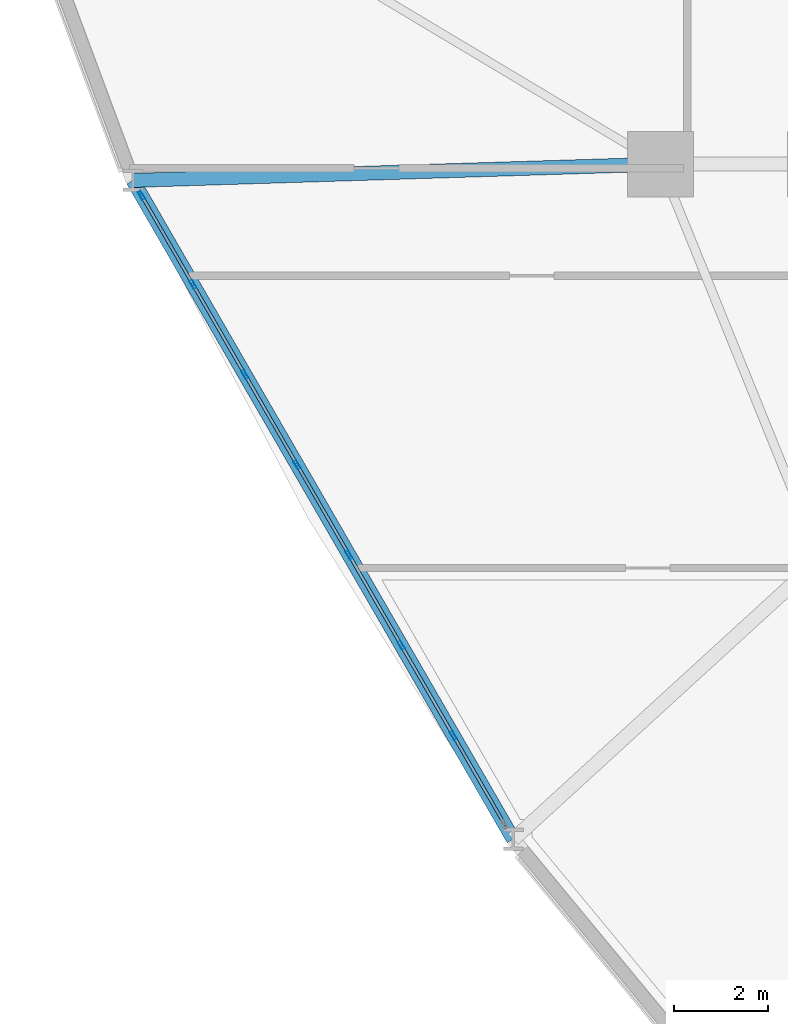
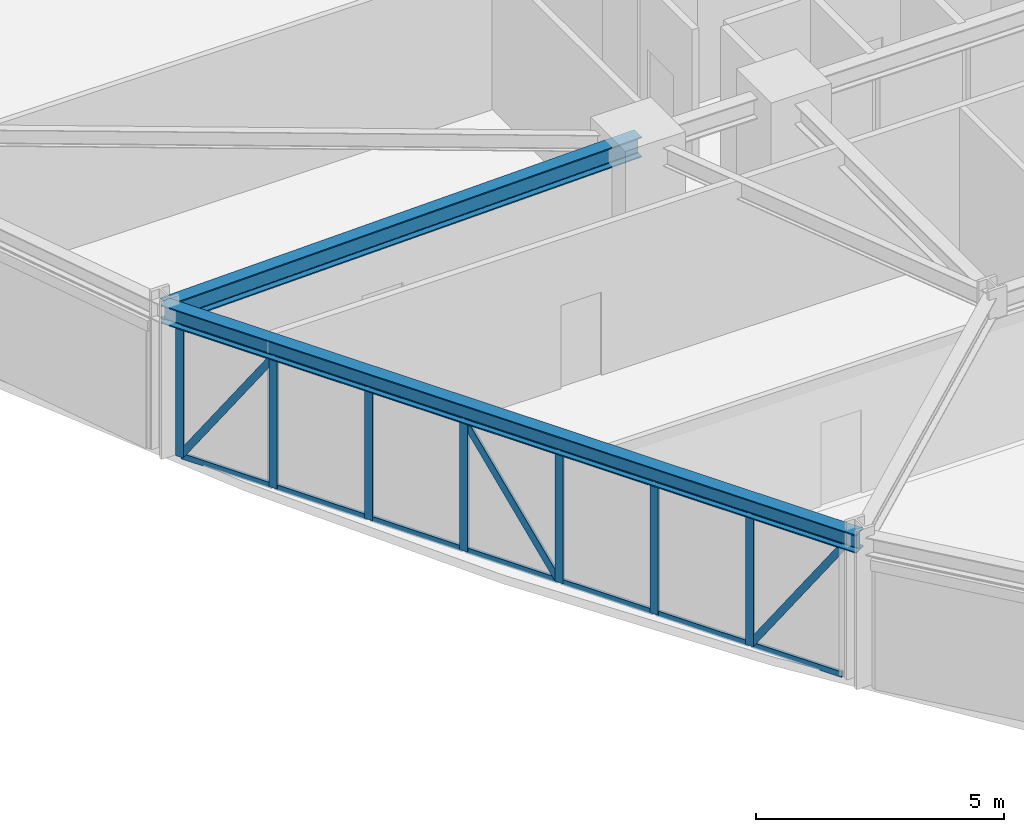
# One storey, part 4 of 23: 24 members, 2 beams, 1 element without a shape of its own.
"""IFC4 building model written with IfcOpenShell, lengths in metres."""

from ifc_helpers import new_model, si_unit, derived_unit, direction, frame, origin, origin_2d, place, context, subcontext, project, spatial, hollow_rectangle, i_section, extrude, source, transform, mapped, material, layer, layer_set, material_profile, profile_set, type_object, element, aggregate, save


model = new_model("IFC4")

# Units and contexts
model_context = context("Model", 3, precision=1e-05, world=origin(), true_north=direction((0.0, 1.0)))
body_context = subcontext(model_context, "Body", "Model", "MODEL_VIEW")
ifc_project = project(units=[si_unit("LENGTHUNIT", "METRE"), si_unit("AREAUNIT", "SQUARE_METRE"), si_unit("VOLUMEUNIT", "CUBIC_METRE"), si_unit("PLANEANGLEUNIT", "RADIAN"), si_unit("MASSUNIT", "GRAM", prefix="KILO"), derived_unit("THERMALTRANSMITTANCEUNIT", [(si_unit("POWERUNIT", "WATT"), 1), (si_unit("LENGTHUNIT", "METRE"), -2), (si_unit("THERMODYNAMICTEMPERATUREUNIT", "KELVIN"), -1)])], contexts=[model_context])

# Site, building, storey
site_placement = place(None, origin())
site = spatial("IfcSite", under=ifc_project, at=site_placement, CompositionType="ELEMENT")
building_placement = place(site_placement, origin())
building = spatial("IfcBuilding", under=site, at=building_placement, Name="Korsvarv Bourse and Concert Hall", CompositionType="ELEMENT")
storey_placement = place(building_placement, frame((0.0, 0.0, 24.0)))
storey = spatial("IfcBuildingStorey", under=building, at=storey_placement, Name="L05", CompositionType="ELEMENT", Elevation=24.0)

# Beams
ifc_material_1 = material(Name="Steel S355", Category="steel")
ifc_material_profile_1 = material_profile(ifc_material_1, i_section(OverallWidth=0.300048828125, OverallDepth=0.449951171875, WebThickness=0.013916015625, FlangeThickness=0.02587890625, FilletRadius=0.02099609375, at=origin_2d()), Name="HEB 450")
ifc_profile_set_1 = profile_set([ifc_material_profile_1], Name="Steel S355")
beam_type_1 = type_object("IfcBeamType", Name="BM-HEB450", PredefinedType="SPANDREL", material=ifc_profile_set_1)
shared_shape_1 = source(origin(), body_context, "Body", "SweptSolid", [
    extrude(i_section(OverallWidth=0.300048828125, OverallDepth=0.449951171875, WebThickness=0.013916015625, FlangeThickness=0.02587890625, FilletRadius=0.02099609375, at=origin_2d()), origin(), (0.0, 0.0, 1.0), 16.195068359375),
])
beam_1_placement = place(storey_placement, frame((12.970458984375, 32.05419921875, 3.455078125), z_axis=(0.499993009725, -0.866029439584, 0.0), x_axis=(0.866029439584, 0.499993009725, 0.0)))
element("IfcBeam", 1, at=beam_1_placement, inside=storey, type_object=beam_type_1, Name="L05 beam B-08", PredefinedType="SPANDREL", context=body_context, shape_type="MappedRepresentation", body=[
    mapped(shared_shape_1, transform((0.0, 0.0, 0.0), scale=1.0)),
])
ifc_material_profile_2 = material_profile(ifc_material_1, i_section(OverallWidth=0.300048828125, OverallDepth=0.5, WebThickness=0.014404296875, FlangeThickness=0.028076171875, FilletRadius=0.02392578125, at=origin_2d()), Name="HEB 500")
ifc_profile_set_2 = profile_set([ifc_material_profile_2], Name="Steel S355")
beam_type_2 = type_object("IfcBeamType", Name="BM-HEB500", PredefinedType="BEAM", material=ifc_profile_set_2)
shared_shape_2 = source(origin(), body_context, "Body", "SweptSolid", [
    extrude(i_section(OverallWidth=0.300048828125, OverallDepth=0.5, WebThickness=0.014404296875, FlangeThickness=0.028076171875, FilletRadius=0.02392578125, at=origin_2d()), origin(), (0.0, 0.0, 1.0), 11.23486328125),
])
beam_2_placement = place(storey_placement, frame((12.970458984375, 32.05419921875, 3.429931640625), z_axis=(0.999526469652, 0.03077070791, 0.0), x_axis=(-0.03077070791, 0.999526469652, 0.0)))
element("IfcBeam", 2, at=beam_2_placement, inside=storey, type_object=beam_type_2, Name="L05 beam B-07", PredefinedType="BEAM", context=body_context, shape_type="MappedRepresentation", body=[
    mapped(shared_shape_2, transform((0.0, 0.0, 0.0), scale=1.0)),
])

# Curtain wall, members
ifc_material_2 = material(Name="Anodised aluminium and triple low-E glazing", Category="glass")
ifc_layer = layer(ifc_material_2, 0.219970703125)
ifc_layer_set = layer_set([ifc_layer], Name="Anodised aluminium and triple low-E glazing")
curtain_wall_type = type_object("IfcCurtainWallType", Name="CW-SYS-1", PredefinedType="NOTDEFINED", material=ifc_layer_set)
curtain_wall_placement = place(storey_placement, origin())
curtain_wall = element("IfcCurtainWall", 3, at=curtain_wall_placement, inside=storey, type_object=curtain_wall_type, Name="L05 CW1 curtain wall CW-L05-F07", PredefinedType="NOTDEFINED")
ifc_material_3 = material(Name="Extruded aluminium EN AW-6063 T66", Category="aluminium")
ifc_material_profile_3 = material_profile(ifc_material_3, hollow_rectangle(XDim=0.070068359375, YDim=0.18994140625, WallThickness=0.0048828125, at=origin_2d()), Name="ALU-M 70x190")
ifc_profile_set_3 = profile_set([ifc_material_profile_3], Name="Extruded aluminium EN AW-6063 T66")
member_type_1 = type_object("IfcMemberType", Name="CWM-190", PredefinedType="MULLION", material=ifc_profile_set_3)
shared_shape_3 = source(origin(), body_context, "Body", "SweptSolid", [
    extrude(hollow_rectangle(XDim=0.070068359375, YDim=0.18994140625, WallThickness=0.0048828125, at=origin_2d()), origin(), (0.0, 0.0, 1.0), 3.22998046875),
])
member_1_placement = place(storey_placement, frame((13.15380859375, 31.73681640625, 0.0), z_axis=(0.0, 0.0, 1.0), x_axis=(0.866028517121, 0.499994607504, 0.0)))
member_1 = element("IfcMember", 4, at=member_1_placement, type_object=member_type_1, Name="CW1 mullion 1", PredefinedType="MULLION", context=body_context, shape_type="MappedRepresentation", body=[
    mapped(shared_shape_3, transform((0.0, 0.0, 0.0), scale=1.0)),
])
member_2_placement = place(storey_placement, frame((14.24560546875, 29.845458984375, 0.0), z_axis=(0.0, 0.0, 1.0), x_axis=(0.866028517121, 0.499994607504, 0.0)))
member_2 = element("IfcMember", 5, at=member_2_placement, type_object=member_type_1, Name="CW1 mullion 2", PredefinedType="MULLION", context=body_context, shape_type="MappedRepresentation", body=[
    mapped(shared_shape_3, transform((0.0, 0.0, 0.0), scale=1.0)),
])
member_3_placement = place(storey_placement, frame((15.35498046875, 27.923828125, 0.0), z_axis=(0.0, 0.0, 1.0), x_axis=(0.866028517121, 0.499994607504, 0.0)))
member_3 = element("IfcMember", 6, at=member_3_placement, type_object=member_type_1, Name="CW1 mullion 3", PredefinedType="MULLION", context=body_context, shape_type="MappedRepresentation", body=[
    mapped(shared_shape_3, transform((0.0, 0.0, 0.0), scale=1.0)),
])
member_4_placement = place(storey_placement, frame((16.464599609375, 26.002197265625, 0.0), z_axis=(0.0, 0.0, 1.0), x_axis=(0.866028517121, 0.499994607504, 0.0)))
member_4 = element("IfcMember", 7, at=member_4_placement, type_object=member_type_1, Name="CW1 mullion 4", PredefinedType="MULLION", context=body_context, shape_type="MappedRepresentation", body=[
    mapped(shared_shape_3, transform((0.0, 0.0, 0.0), scale=1.0)),
])
member_5_placement = place(storey_placement, frame((17.573974609375, 24.08056640625, 0.0), z_axis=(0.0, 0.0, 1.0), x_axis=(0.866028517121, 0.499994607504, 0.0)))
member_5 = element("IfcMember", 8, at=member_5_placement, type_object=member_type_1, Name="CW1 mullion 5", PredefinedType="MULLION", context=body_context, shape_type="MappedRepresentation", body=[
    mapped(shared_shape_3, transform((0.0, 0.0, 0.0), scale=1.0)),
])
member_6_placement = place(storey_placement, frame((18.683349609375, 22.158935546875, 0.0), z_axis=(0.0, 0.0, 1.0), x_axis=(0.866028517121, 0.499994607504, 0.0)))
member_6 = element("IfcMember", 9, at=member_6_placement, type_object=member_type_1, Name="CW1 mullion 6", PredefinedType="MULLION", context=body_context, shape_type="MappedRepresentation", body=[
    mapped(shared_shape_3, transform((0.0, 0.0, 0.0), scale=1.0)),
])
member_7_placement = place(storey_placement, frame((19.792724609375, 20.2373046875, 0.0), z_axis=(0.0, 0.0, 1.0), x_axis=(0.866028517121, 0.499994607504, 0.0)))
member_7 = element("IfcMember", 10, at=member_7_placement, type_object=member_type_1, Name="CW1 mullion 7", PredefinedType="MULLION", context=body_context, shape_type="MappedRepresentation", body=[
    mapped(shared_shape_3, transform((0.0, 0.0, 0.0), scale=1.0)),
])
ifc_material_profile_4 = material_profile(ifc_material_3, hollow_rectangle(XDim=0.06494140625, YDim=0.139892578125, WallThickness=0.00390625, at=origin_2d()), Name="ALU-T 65x140")
ifc_profile_set_4 = profile_set([ifc_material_profile_4], Name="Extruded aluminium EN AW-6063 T66")
member_type_2 = type_object("IfcMemberType", Name="CWT-140", PredefinedType="USERDEFINED", material=ifc_profile_set_4)
shared_shape_4 = source(origin(), body_context, "Body", "SweptSolid", [
    extrude(hollow_rectangle(XDim=0.06494140625, YDim=0.139892578125, WallThickness=0.00390625, at=origin_2d()), origin(), (0.0, 0.0, 1.0), 2.114013671875),
])
member_8_placement = place(storey_placement, frame((13.171142578125, 31.70654296875, 0.032470703125), z_axis=(0.499952388684, -0.866052890446, 0.0), x_axis=(0.866052890446, 0.499952388684, 0.0)))
member_8 = element("IfcMember", 11, at=member_8_placement, type_object=member_type_2, Name="CW1 transom 1.1", ObjectType="TRANSOM", PredefinedType="USERDEFINED", context=body_context, shape_type="MappedRepresentation", body=[
    mapped(shared_shape_4, transform((0.0, 0.0, 0.0), scale=1.0)),
])
member_9_placement = place(storey_placement, frame((13.171142578125, 31.70654296875, 3.197509765625), z_axis=(0.499952388684, -0.866052890446, 0.0), x_axis=(0.866052890446, 0.499952388684, 0.0)))
member_9 = element("IfcMember", 12, at=member_9_placement, type_object=member_type_2, Name="CW1 transom 1.2", ObjectType="TRANSOM", PredefinedType="USERDEFINED", context=body_context, shape_type="MappedRepresentation", body=[
    mapped(shared_shape_4, transform((0.0, 0.0, 0.0), scale=1.0)),
])
ifc_material_profile_5 = material_profile(ifc_material_3, hollow_rectangle(XDim=0.06494140625, YDim=0.1650390625, WallThickness=0.0048828125, at=origin_2d()), Name="ALU-M 65x165")
ifc_profile_set_5 = profile_set([ifc_material_profile_5], Name="Extruded aluminium EN AW-6063 T66")
member_type_3 = type_object("IfcMemberType", Name="CWM-165", PredefinedType="MULLION", material=ifc_profile_set_5)
shared_shape_5 = source(origin(), body_context, "Body", "SweptSolid", [
    extrude(hollow_rectangle(XDim=0.06494140625, YDim=0.1650390625, WallThickness=0.0048828125, at=origin_2d()), origin(), (0.0, 0.0, 1.0), 3.752197265625),
])
member_10_placement = place(storey_placement, frame((13.171142578125, 31.70654296875, 0.06494140625), z_axis=(0.281665956245, -0.48792169228, 0.826194112358), x_axis=(0.866052890446, 0.499952388684, 0.0)))
member_10 = element("IfcMember", 13, at=member_10_placement, type_object=member_type_3, Name="CW1 diagonal mullion 1", PredefinedType="MULLION", context=body_context, shape_type="MappedRepresentation", body=[
    mapped(shared_shape_5, transform((0.0, 0.0, 0.0), scale=1.0)),
])
member_11_placement = place(storey_placement, frame((19.810302734375, 20.20703125, 0.06494140625), z_axis=(0.281674898004, -0.487872114862, 0.826220340693), x_axis=(0.866024019333, 0.500002397932, 0.0)))
member_11 = element("IfcMember", 14, at=member_11_placement, type_object=member_type_3, Name="CW1 diagonal mullion 7", PredefinedType="MULLION", context=body_context, shape_type="MappedRepresentation", body=[
    mapped(shared_shape_5, transform((0.0, 0.0, 0.0), scale=1.0)),
])
shared_shape_6 = source(origin(), body_context, "Body", "SweptSolid", [
    extrude(hollow_rectangle(XDim=0.06494140625, YDim=0.139892578125, WallThickness=0.00390625, at=origin_2d()), origin(), (0.0, 0.0, 1.0), 2.14892578125),
])
member_12_placement = place(storey_placement, frame((14.26318359375, 29.815185546875, 0.032470703125), z_axis=(0.499987977232, -0.866032345022, 0.0), x_axis=(0.866032345022, 0.499987977232, 0.0)))
member_12 = element("IfcMember", 15, at=member_12_placement, type_object=member_type_2, Name="CW1 transom 2.1", ObjectType="TRANSOM", PredefinedType="USERDEFINED", context=body_context, shape_type="MappedRepresentation", body=[
    mapped(shared_shape_6, transform((0.0, 0.0, 0.0), scale=1.0)),
])
member_13_placement = place(storey_placement, frame((14.26318359375, 29.815185546875, 3.197509765625), z_axis=(0.499987977232, -0.866032345022, 0.0), x_axis=(0.866032345022, 0.499987977232, 0.0)))
member_13 = element("IfcMember", 16, at=member_13_placement, type_object=member_type_2, Name="CW1 transom 2.2", ObjectType="TRANSOM", PredefinedType="USERDEFINED", context=body_context, shape_type="MappedRepresentation", body=[
    mapped(shared_shape_6, transform((0.0, 0.0, 0.0), scale=1.0)),
])
member_14_placement = place(storey_placement, frame((15.37255859375, 27.8935546875, 0.032470703125), z_axis=(0.499987977232, -0.866032345022, 0.0), x_axis=(0.866032345022, 0.499987977232, 0.0)))
member_14 = element("IfcMember", 17, at=member_14_placement, type_object=member_type_2, Name="CW1 transom 3.1", ObjectType="TRANSOM", PredefinedType="USERDEFINED", context=body_context, shape_type="MappedRepresentation", body=[
    mapped(shared_shape_6, transform((0.0, 0.0, 0.0), scale=1.0)),
])
member_15_placement = place(storey_placement, frame((15.37255859375, 27.8935546875, 3.197509765625), z_axis=(0.499987977232, -0.866032345022, 0.0), x_axis=(0.866032345022, 0.499987977232, 0.0)))
member_15 = element("IfcMember", 18, at=member_15_placement, type_object=member_type_2, Name="CW1 transom 3.2", ObjectType="TRANSOM", PredefinedType="USERDEFINED", context=body_context, shape_type="MappedRepresentation", body=[
    mapped(shared_shape_6, transform((0.0, 0.0, 0.0), scale=1.0)),
])
member_16_placement = place(storey_placement, frame((16.48193359375, 25.971923828125, 0.032470703125), z_axis=(0.499987977232, -0.866032345022, 0.0), x_axis=(0.866032345022, 0.499987977232, 0.0)))
member_16 = element("IfcMember", 19, at=member_16_placement, type_object=member_type_2, Name="CW1 transom 4.1", ObjectType="TRANSOM", PredefinedType="USERDEFINED", context=body_context, shape_type="MappedRepresentation", body=[
    mapped(shared_shape_6, transform((0.0, 0.0, 0.0), scale=1.0)),
])
member_17_placement = place(storey_placement, frame((16.48193359375, 25.971923828125, 3.197509765625), z_axis=(0.499987977232, -0.866032345022, 0.0), x_axis=(0.866032345022, 0.499987977232, 0.0)))
member_17 = element("IfcMember", 20, at=member_17_placement, type_object=member_type_2, Name="CW1 transom 4.2", ObjectType="TRANSOM", PredefinedType="USERDEFINED", context=body_context, shape_type="MappedRepresentation", body=[
    mapped(shared_shape_6, transform((0.0, 0.0, 0.0), scale=1.0)),
])
shared_shape_7 = source(origin(), body_context, "Body", "SweptSolid", [
    extrude(hollow_rectangle(XDim=0.06494140625, YDim=0.1650390625, WallThickness=0.0048828125, at=origin_2d()), origin(), (0.0, 0.0, 1.0), 3.772216796875),
])
member_18_placement = place(storey_placement, frame((17.556396484375, 24.11083984375, 0.06494140625), z_axis=(-0.284845041015, 0.493381901307, 0.821850109248), x_axis=(-0.866032345022, -0.499987977232, 0.0)))
member_18 = element("IfcMember", 21, at=member_18_placement, type_object=member_type_3, Name="CW1 diagonal mullion 4", PredefinedType="MULLION", context=body_context, shape_type="MappedRepresentation", body=[
    mapped(shared_shape_7, transform((0.0, 0.0, 0.0), scale=1.0)),
])
shared_shape_8 = source(origin(), body_context, "Body", "SweptSolid", [
    extrude(hollow_rectangle(XDim=0.06494140625, YDim=0.139892578125, WallThickness=0.00390625, at=origin_2d()), origin(), (0.0, 0.0, 1.0), 2.148681640625),
])
member_19_placement = place(storey_placement, frame((17.59130859375, 24.05029296875, 0.032470703125), z_axis=(0.500037174102, -0.866003940243, 0.0), x_axis=(0.866003940243, 0.500037174102, 0.0)))
member_19 = element("IfcMember", 22, at=member_19_placement, type_object=member_type_2, Name="CW1 transom 5.1", ObjectType="TRANSOM", PredefinedType="USERDEFINED", context=body_context, shape_type="MappedRepresentation", body=[
    mapped(shared_shape_8, transform((0.0, 0.0, 0.0), scale=1.0)),
])
member_20_placement = place(storey_placement, frame((17.59130859375, 24.05029296875, 3.197509765625), z_axis=(0.500037174102, -0.866003940243, 0.0), x_axis=(0.866003940243, 0.500037174102, 0.0)))
member_20 = element("IfcMember", 23, at=member_20_placement, type_object=member_type_2, Name="CW1 transom 5.2", ObjectType="TRANSOM", PredefinedType="USERDEFINED", context=body_context, shape_type="MappedRepresentation", body=[
    mapped(shared_shape_8, transform((0.0, 0.0, 0.0), scale=1.0)),
])
member_21_placement = place(storey_placement, frame((18.700927734375, 22.128662109375, 0.032470703125), z_axis=(0.500037174102, -0.866003940243, 0.0), x_axis=(0.866003940243, 0.500037174102, 0.0)))
member_21 = element("IfcMember", 24, at=member_21_placement, type_object=member_type_2, Name="CW1 transom 6.1", ObjectType="TRANSOM", PredefinedType="USERDEFINED", context=body_context, shape_type="MappedRepresentation", body=[
    mapped(shared_shape_8, transform((0.0, 0.0, 0.0), scale=1.0)),
])
member_22_placement = place(storey_placement, frame((18.700927734375, 22.128662109375, 3.197509765625), z_axis=(0.500037174102, -0.866003940243, 0.0), x_axis=(0.866003940243, 0.500037174102, 0.0)))
member_22 = element("IfcMember", 25, at=member_22_placement, type_object=member_type_2, Name="CW1 transom 6.2", ObjectType="TRANSOM", PredefinedType="USERDEFINED", context=body_context, shape_type="MappedRepresentation", body=[
    mapped(shared_shape_8, transform((0.0, 0.0, 0.0), scale=1.0)),
])
shared_shape_9 = source(origin(), body_context, "Body", "SweptSolid", [
    extrude(hollow_rectangle(XDim=0.06494140625, YDim=0.139892578125, WallThickness=0.00390625, at=origin_2d()), origin(), (0.0, 0.0, 1.0), 2.11376953125),
])
member_23_placement = place(storey_placement, frame((19.810302734375, 20.20703125, 0.032470703125), z_axis=(0.500002397932, -0.866024019333, 0.0), x_axis=(0.866024019333, 0.500002397932, 0.0)))
member_23 = element("IfcMember", 26, at=member_23_placement, type_object=member_type_2, Name="CW1 transom 7.1", ObjectType="TRANSOM", PredefinedType="USERDEFINED", context=body_context, shape_type="MappedRepresentation", body=[
    mapped(shared_shape_9, transform((0.0, 0.0, 0.0), scale=1.0)),
])
member_24_placement = place(storey_placement, frame((19.810302734375, 20.20703125, 3.197509765625), z_axis=(0.500002397932, -0.866024019333, 0.0), x_axis=(0.866024019333, 0.500002397932, 0.0)))
member_24 = element("IfcMember", 27, at=member_24_placement, type_object=member_type_2, Name="CW1 transom 7.2", ObjectType="TRANSOM", PredefinedType="USERDEFINED", context=body_context, shape_type="MappedRepresentation", body=[
    mapped(shared_shape_9, transform((0.0, 0.0, 0.0), scale=1.0)),
])
aggregate(curtain_wall, [member_1, member_2, member_3, member_4, member_5, member_6, member_7, member_8, member_9, member_10, member_12, member_13, member_14, member_15, member_16, member_17, member_18, member_19, member_20, member_21, member_22, member_23, member_24, member_11])

save(model, "model.ifc")
